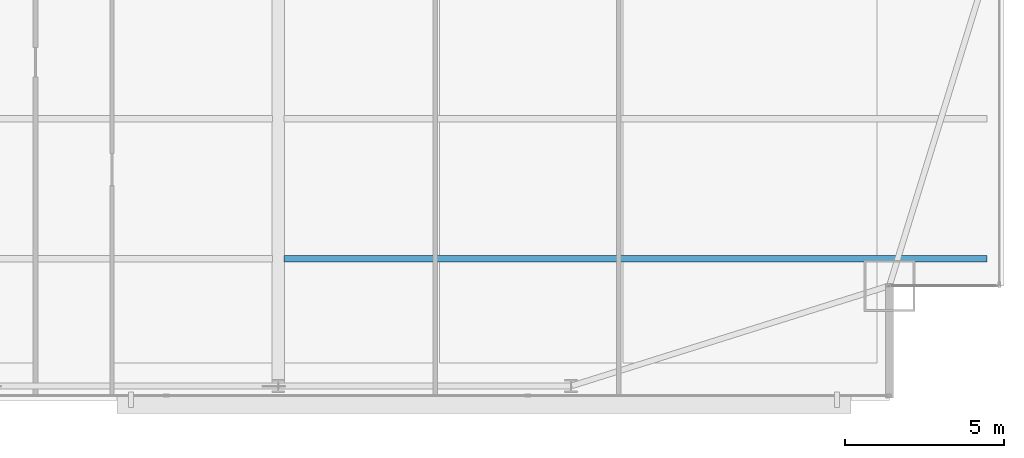
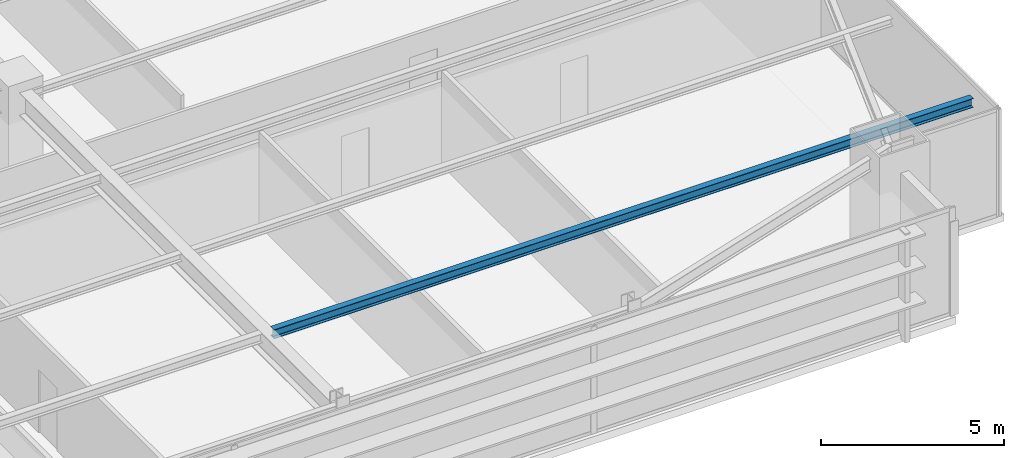
# One storey, part 15 of 32: 1 beam.
"""IFC4 building model written with IfcOpenShell, lengths in metres."""

from ifc_helpers import new_model, si_unit, direction, frame, origin, origin_2d, place, context, subcontext, project, spatial, i_section, extrude, source, transform, mapped, material, material_profile, profile_set, type_object, type_shapes, element, save


model = new_model("IFC4")

# Units and contexts
model_context = context("Model", 3, precision=1e-05, world=origin(), true_north=direction((0.0, 1.0)))
body_context = subcontext(model_context, "Body", "Model", "MODEL_VIEW")
ifc_project = project(units=[si_unit("LENGTHUNIT", "METRE"), si_unit("AREAUNIT", "SQUARE_METRE"), si_unit("VOLUMEUNIT", "CUBIC_METRE"), si_unit("PLANEANGLEUNIT", "RADIAN"), si_unit("MASSUNIT", "GRAM", prefix="KILO")], contexts=[model_context])

# Site, building, storey
site_placement = place(None, origin())
site = spatial("IfcSite", under=ifc_project, at=site_placement, CompositionType="ELEMENT")
building_placement = place(site_placement, origin())
building = spatial("IfcBuilding", under=site, at=building_placement, Name="Varnel Quay Broadcast Tower", CompositionType="ELEMENT")
storey_placement = place(building_placement, frame((0.0, 0.0, 78.300048828125)))
storey = spatial("IfcBuildingStorey", under=building, at=storey_placement, Name="L18", CompositionType="ELEMENT", Elevation=78.300048828125)

# Beam
ifc_material = material(Name="Structural Steel CSA G40.21 350W", Category="steel")
ifc_material_profile = material_profile(ifc_material, i_section(OverallWidth=0.202880859375, OverallDepth=0.302978515625, WebThickness=0.007568359375, FlangeThickness=0.01318359375, FilletRadius=0.011962890625, at=origin_2d()), Name="W310X60")
ifc_profile_set = profile_set([ifc_material_profile], Name="Structural Steel CSA G40.21 350W")
beam_type = type_object("IfcBeamType", Name="Beam_W310X60", PredefinedType="JOIST", material=ifc_profile_set)
shared_shape = source(origin(), body_context, "Body", "SweptSolid", [
    extrude(i_section(OverallWidth=0.202880859375, OverallDepth=0.302978515625, WebThickness=0.007568359375, FlangeThickness=0.01318359375, FilletRadius=0.011962890625, at=origin_2d()), origin(), (0.0, 0.0, 1.0), 22.0791015625),
])
type_shapes(beam_type, [shared_shape])
beam_placement = place(storey_placement, frame((43.385498046875, 5.64990234375, 3.428466796875), z_axis=(1.0, 0.0, 0.0), x_axis=(0.0, 1.0, 0.0)))
element("IfcBeam", 1, at=beam_placement, inside=storey, type_object=beam_type, Name="L18 East Floor Joist 1", PredefinedType="JOIST", context=body_context, shape_type="MappedRepresentation", body=[
    mapped(shared_shape, transform((0.0, 0.0, 0.0), x_axis=(1.0, 0.0, 0.0), y_axis=(0.0, 1.0, 0.0), z_axis=(0.0, 0.0, 1.0), scale=1.0)),
])

save(model, "model.ifc")
